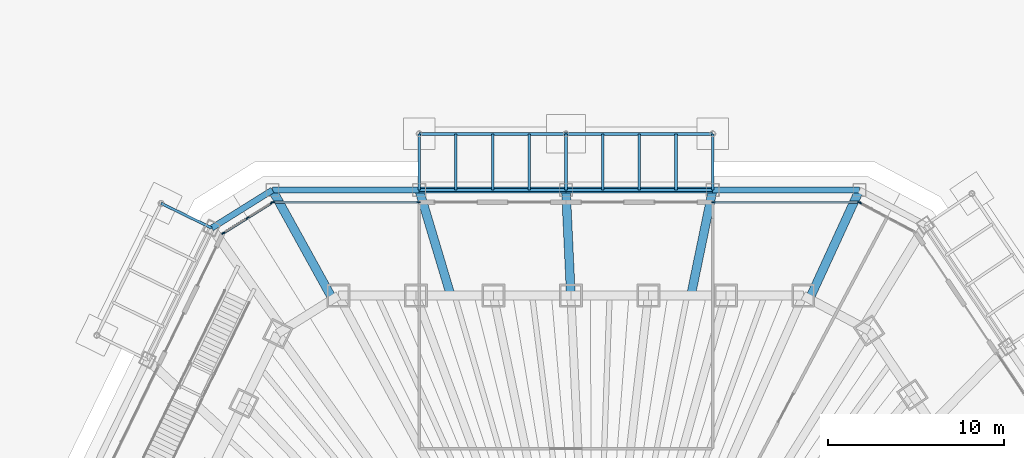
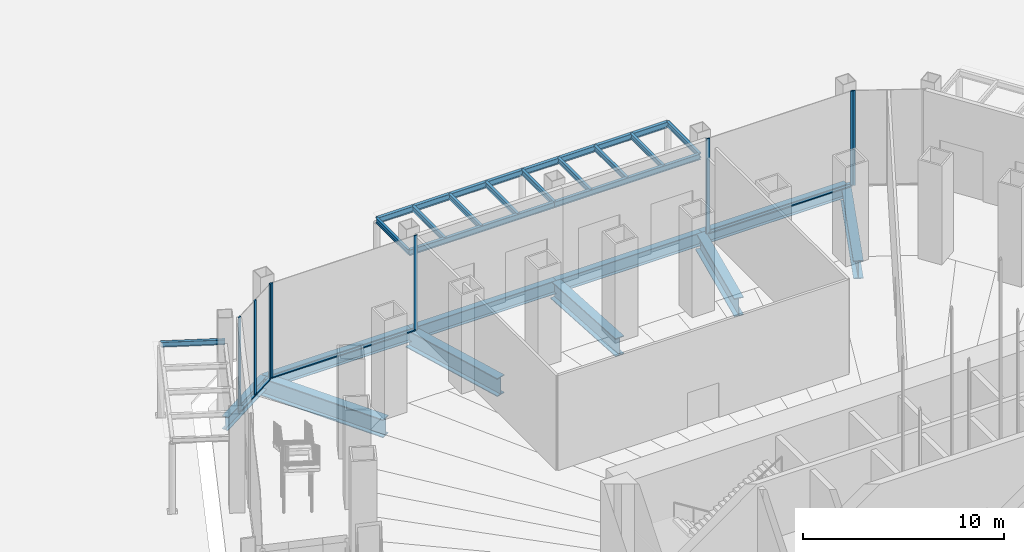
# One storey, part 22 of 45: 24 beams, 12 members, 4 elements without a shape of their own.
"""IFC4 building model written with IfcOpenShell, lengths in metres."""

import ifcopenshell
import ifcopenshell.guid

model = None  # the IFC model being written
_history = None  # IfcOwnerHistory: only IFC2X3 demands one
_inside = {}  # id of a spatial element -> (the spatial element, [elements in it])
_under = {}  # id of a project, library or spatial element -> (it, [spatial elements below it])
_declared = {}  # id of a project -> (the project, [libraries it declares])
_typed = {}  # id of a type object -> (the type object, [elements of that type])
_made_of = {}  # id of a material, layer set ... -> (it, [elements and type objects made of it])


def new_model(schema):
    """Start an empty IFC model of exactly this schema.

    Asked for "IFC4X3", IfcOpenShell would pick the latest addendum, in which some entities
    have other attributes; the version numbers below select the first issue.
    IFC2X3 requires an IfcOwnerHistory on every rooted entity: one is made here for all.
    """
    global model, _history
    if schema == "IFC4X3":
        model = ifcopenshell.file(schema_version=(4, 3, 0, 0))
    else:
        model = ifcopenshell.file(schema=schema)
    _inside.clear()
    _under.clear()
    _declared.clear()
    _typed.clear()
    _made_of.clear()
    _history = None
    if model.schema == "IFC2X3":
        org = make("IfcOrganization", Name="unknown")
        user = make(
            "IfcPersonAndOrganization",
            ThePerson=make("IfcPerson", FamilyName="unknown"),
            TheOrganization=org,
        )
        app = make(
            "IfcApplication",
            ApplicationDeveloper=org,
            Version="unknown",
            ApplicationFullName="unknown",
            ApplicationIdentifier="unknown",
        )
        _history = make(
            "IfcOwnerHistory",
            OwningUser=user,
            OwningApplication=app,
            ChangeAction="ADDED",
            CreationDate=0,
        )
    return model


def make(cls, **values):
    """One entity of the class cls with the attributes given. An attribute that is None is left unset."""
    return model.create_entity(
        cls, **{name: value for name, value in values.items() if value is not None}
    )


def rooted(cls, **values):
    """An entity with a GlobalId (a new one), such as an element, a storey or a relation."""
    return make(cls, GlobalId=ifcopenshell.guid.new(), OwnerHistory=_history, **values)


def si_unit(unit_type, name, prefix=None):
    """IfcSIUnit, for example si_unit("LENGTHUNIT", "METRE", prefix="MILLI")."""
    return make("IfcSIUnit", UnitType=unit_type, Prefix=prefix, Name=name)


def assignment(units):
    """IfcUnitAssignment: the units of a project."""
    return None if units is None else make("IfcUnitAssignment", Units=units)


def point(xyz):
    """IfcCartesianPoint."""
    return None if xyz is None else make("IfcCartesianPoint", Coordinates=xyz)


def direction(xyz):
    """IfcDirection."""
    return None if xyz is None else make("IfcDirection", DirectionRatios=xyz)


def frame(location, z_axis=None, x_axis=None):
    """IfcAxis2Placement3D, a coordinate frame: its origin and axes. An axis left out is left unset."""
    return make(
        "IfcAxis2Placement3D",
        Location=point(location),
        Axis=direction(z_axis),
        RefDirection=direction(x_axis),
    )


def frame_2d(location, x_axis=None):
    """IfcAxis2Placement2D, a coordinate frame in the plane: its origin and x axis."""
    return make(
        "IfcAxis2Placement2D", Location=point(location), RefDirection=direction(x_axis)
    )


def origin():
    """The frame at (0, 0, 0) with its axes left unset."""
    return frame((0.0, 0.0, 0.0))


def origin_2d():
    """The frame at (0, 0) in the plane with its x axis left unset."""
    return frame_2d((0.0, 0.0))


def place(relative_to, where):
    """IfcLocalPlacement: puts the frame where relative to a parent placement (None: the world)."""
    return make(
        "IfcLocalPlacement", PlacementRelTo=relative_to, RelativePlacement=where
    )


def context(
    kind, dimensions, precision=None, world=None, true_north=None, identifier=None
):
    """IfcGeometricRepresentationContext, for example the 3D "Model" context."""
    return make(
        "IfcGeometricRepresentationContext",
        ContextIdentifier=identifier,
        ContextType=kind,
        CoordinateSpaceDimension=dimensions,
        Precision=precision,
        WorldCoordinateSystem=world,
        TrueNorth=true_north,
    )


def subcontext(parent, identifier, kind, view, scale=None):
    """IfcGeometricRepresentationSubContext, for example "Body" below "Model"."""
    return make(
        "IfcGeometricRepresentationSubContext",
        ContextIdentifier=identifier,
        ContextType=kind,
        ParentContext=parent,
        TargetScale=scale,
        TargetView=view,
    )


def project(units=None, contexts=None):
    """IfcProject with its units and contexts."""
    return rooted(
        "IfcProject",
        Name="project",
        RepresentationContexts=contexts,
        UnitsInContext=assignment(units),
    )


def spatial(cls, under=None, at=None, **own):
    """A site, building, storey or space (cls), placed at a placement, below another one or the project."""
    s = rooted(cls, ObjectPlacement=at, **own)
    if under is not None:
        _under.setdefault(under.id(), (under, []))[1].append(s)
    return s


def profile(cls, at=None, kind="AREA", **sizes):
    """A parametric profile (cls). Its sizes go by their IFC names, for example OverallWidth=200.0."""
    return make(cls, ProfileType=kind, Position=at, **sizes)


def rectangle(**sizes):
    """IfcRectangleProfileDef."""
    return profile("IfcRectangleProfileDef", **sizes)


def i_section(**sizes):
    """IfcIShapeProfileDef."""
    return profile("IfcIShapeProfileDef", **sizes)


def extrude(swept, where, along, depth):
    """IfcExtrudedAreaSolid: the profile swept, set in the frame where, extruded along a direction by depth."""
    return make(
        "IfcExtrudedAreaSolid",
        SweptArea=swept,
        Position=where,
        ExtrudedDirection=direction(along),
        Depth=depth,
    )


def shape(context_of_items, identifier, shape_type, items):
    """IfcShapeRepresentation: the items that make up one representation, for example the "Body"."""
    return make(
        "IfcShapeRepresentation",
        ContextOfItems=context_of_items,
        RepresentationIdentifier=identifier,
        RepresentationType=shape_type,
        Items=items,
    )


def material(Name=None, Category=None):
    """IfcMaterial."""
    return make("IfcMaterial", Name=Name, Category=Category)


def material_profile(
    of_material, cross_section, Name=None, Category=None, Priority=None
):
    """IfcMaterialProfile: a cross section and its material."""
    return make(
        "IfcMaterialProfile",
        Name=Name,
        Material=of_material,
        Profile=cross_section,
        Priority=Priority,
        Category=Category,
    )


def profile_set(profiles, Name=None, composite=None):
    """IfcMaterialProfileSet."""
    return make(
        "IfcMaterialProfileSet",
        Name=Name,
        MaterialProfiles=profiles,
        CompositeProfile=composite,
    )


def made_of(thing, what):
    """Note that an element or type object is made of a material, layer set ...; save() writes the relation."""
    if what is not None:
        _made_of.setdefault(what.id(), (what, []))[1].append(thing)
    return thing


def type_object(cls, material=None, **own):
    """A type object (cls), such as IfcWallType, which elements share."""
    return made_of(rooted(cls, **own), material)


def element(
    cls,
    number,
    at=None,
    inside=None,
    cuts=None,
    type_object=None,
    material=None,
    context=None,
    identifier="Body",
    shape_type=None,
    held_by="IfcProductDefinitionShape",
    body=None,
    shapes=None,
    **own,
):
    """One element of the class cls, such as IfcWall. Its Tag is "e" and its number.

    at: its placement. inside: the storey or other place that contains it. cuts: it is an
    opening in that element (IfcRelVoidsElement). A single representation is given by context,
    identifier, shape_type and body (its items); several are given by shapes. held_by: the class
    of the entity that holds the representations. save() writes the other relations.
    """
    e = rooted(cls, Tag="e%d" % number, ObjectPlacement=at, **own)
    if body is not None:
        shapes = [shape(context, identifier, shape_type, body)]
    if shapes is not None:
        e.Representation = make(held_by, Representations=shapes)
    if inside is not None:
        _inside.setdefault(inside.id(), (inside, []))[1].append(e)
    if cuts is not None:
        rooted(
            "IfcRelVoidsElement", RelatingBuildingElement=cuts, RelatedOpeningElement=e
        )
    if type_object is not None:
        _typed.setdefault(type_object.id(), (type_object, []))[1].append(e)
    return made_of(e, material)


def aggregate(whole, parts):
    """IfcRelAggregates: a whole, such as a stair, and the parts it consists of."""
    return rooted("IfcRelAggregates", RelatingObject=whole, RelatedObjects=parts)


def save(model, path):
    """Write the relations noted so far, then the file.

    IfcRelAggregates (storeys below a building ...), IfcRelContainedInSpatialStructure (elements
    in a storey), IfcRelDefinesByType, IfcRelAssociatesMaterial and IfcRelDeclares: one each for
    every whole, place, type object, material and project.
    """
    for whole, parts in _under.values():
        aggregate(whole, parts)
    for where, things in _inside.values():
        rooted(
            "IfcRelContainedInSpatialStructure",
            RelatedElements=things,
            RelatingStructure=where,
        )
    for kind, things in _typed.values():
        rooted("IfcRelDefinesByType", RelatedObjects=things, RelatingType=kind)
    for what, things in _made_of.values():
        rooted("IfcRelAssociatesMaterial", RelatedObjects=things, RelatingMaterial=what)
    for by, libraries in _declared.values():
        rooted("IfcRelDeclares", RelatingContext=by, RelatedDefinitions=libraries)
    model.write(path)


model = new_model("IFC4")

# Units and contexts
model_context = context("Model", 3, precision=1e-05, world=origin(), true_north=direction((0.0, 1.0)))
body_context = subcontext(model_context, "Body", "Model", "MODEL_VIEW")
ifc_project = project(units=[si_unit("LENGTHUNIT", "METRE"), si_unit("AREAUNIT", "SQUARE_METRE"), si_unit("VOLUMEUNIT", "CUBIC_METRE"), si_unit("PLANEANGLEUNIT", "RADIAN"), si_unit("MASSUNIT", "GRAM", prefix="KILO")], contexts=[model_context])

# Site, building, storey
site_placement = place(None, origin())
site = spatial("IfcSite", under=ifc_project, at=site_placement, CompositionType="ELEMENT")
building_placement = place(site_placement, origin())
building = spatial("IfcBuilding", under=site, at=building_placement, Name="Qingtian Harvest Tower", CompositionType="ELEMENT")
storey_placement = place(building_placement, origin())
storey = spatial("IfcBuildingStorey", under=building, at=storey_placement, Name="L00", CompositionType="ELEMENT", Elevation=0.0)

# Beams
ifc_material_1 = material(Name="Steel SN490B", Category="steel")
ifc_material_profile_1 = material_profile(ifc_material_1, i_section(OverallWidth=0.14990234375, OverallDepth=0.300048828125, WebThickness=0.006591796875, FlangeThickness=0.009033203125, at=origin_2d()), Name="H300x150x6.5x9")
ifc_profile_set_1 = profile_set([ifc_material_profile_1], Name="Steel SN490B")
beam_type_1 = type_object("IfcBeamType", Name="Canopy beam CB1 H300x150x6.5x9", PredefinedType="BEAM", material=ifc_profile_set_1)
for number, where, z_axis, x_axis, name in (
    (1, (-9.87890625, 33.0, 4.31005859375), (0.0, 1.0, 0.0), (-1.0, 0.0, 0.0), "Canopy beam CB1 CN1 1"),
    (2, (-1.537109375, 33.0, 4.31005859375), (0.0, 1.0, 0.0), (-1.0, 0.0, 0.0), "Canopy beam CB1 CN1 2"),
    (3, (6.8046875, 33.0, 4.31005859375), (0.0, 1.0, 0.0), (-1.0, 0.0, 0.0), "Canopy beam CB1 CN1 3"),
    (4, (-7.79345703125, 33.0, 4.31005859375), (0.0, 1.0, 0.0), (-1.0, 0.0, 0.0), "Canopy rafter CB1 CN1 1.1"),
    (5, (-5.7080078125, 33.0, 4.31005859375), (0.0, 1.0, 0.0), (-1.0, 0.0, 0.0), "Canopy rafter CB1 CN1 1.2"),
    (6, (-3.62255859375, 33.0, 4.31005859375), (0.0, 1.0, 0.0), (-1.0, 0.0, 0.0), "Canopy rafter CB1 CN1 1.3"),
    (7, (0.54833984375, 33.0, 4.31005859375), (0.0, 1.0, 0.0), (-1.0, 0.0, 0.0), "Canopy rafter CB1 CN1 2.1"),
    (8, (2.6337890625, 33.0, 4.31005859375), (0.0, 1.0, 0.0), (-1.0, 0.0, 0.0), "Canopy rafter CB1 CN1 2.2"),
    (9, (4.71923828125, 33.0, 4.31005859375), (0.0, 1.0, 0.0), (-1.0, 0.0, 0.0), "Canopy rafter CB1 CN1 2.3"),
    (10, (-21.6728515625, 30.8427734375, 4.31005859375), (-0.898778711213, 0.43840258698, 0.0), (-0.43840258698, -0.898778711213, 0.0), "Canopy beam CB1 CN5 4"),
):
    element("IfcBeam", number, at=place(storey_placement, frame(where, z_axis=z_axis, x_axis=x_axis)), inside=storey, type_object=beam_type_1, Name=name, PredefinedType="BEAM", context=body_context, shape_type="SweptSolid", body=[
        extrude(i_section(OverallWidth=0.14990234375, OverallDepth=0.300048828125, WebThickness=0.006591796875, FlangeThickness=0.009033203125, at=origin_2d()), origin(), (0.0, 0.0, 1.0), 3.199951171875),
    ])
ifc_material_2 = material(Name="Steel SN490B", Category="steel")
ifc_material_profile_2 = material_profile(ifc_material_2, i_section(OverallWidth=0.175048828125, OverallDepth=0.35009765625, WebThickness=0.007080078125, FlangeThickness=0.010986328125, at=origin_2d()), Name="H350x175x7x11")
ifc_profile_set_2 = profile_set([ifc_material_profile_2], Name="Steel SN490B")
beam_type_2 = type_object("IfcBeamType", Name="Canopy edge beam CB2 H350x175x7x11", PredefinedType="BEAM", material=ifc_profile_set_2)
for number, where, z_axis, x_axis, name in (
    (11, (-9.87890625, 33.0, 4.284912109375), (1.0, 0.0, 0.0), (0.0, 1.0, 0.0), "Canopy back beam CB1 CN1 1"),
    (12, (-9.87890625, 36.199951171875, 4.284912109375), (1.0, 0.0, 0.0), (0.0, 1.0, 0.0), "Canopy front beam CB1 CN1 1"),
    (13, (-1.537109375, 33.0, 4.284912109375), (1.0, 0.0, 0.0), (0.0, 1.0, 0.0), "Canopy back beam CB1 CN1 2"),
    (14, (-1.537109375, 36.199951171875, 4.284912109375), (1.0, 0.0, 0.0), (0.0, 1.0, 0.0), "Canopy front beam CB1 CN1 2"),
):
    element("IfcBeam", number, at=place(storey_placement, frame(where, z_axis=z_axis, x_axis=x_axis)), inside=storey, type_object=beam_type_2, Name=name, PredefinedType="BEAM", context=body_context, shape_type="SweptSolid", body=[
        extrude(i_section(OverallWidth=0.175048828125, OverallDepth=0.35009765625, WebThickness=0.007080078125, FlangeThickness=0.010986328125, at=origin_2d()), origin(), (0.0, 0.0, 1.0), 8.341796875),
    ])
ifc_material_3 = material(Name="Steel SM570MC", Category="steel")
ifc_material_profile_3 = material_profile(ifc_material_3, i_section(OverallWidth=0.5, OverallDepth=1.10009765625, WebThickness=0.02490234375, FlangeThickness=0.050048828125, at=origin_2d()), Name="H1100x500x25x50")
ifc_profile_set_3 = profile_set([ifc_material_profile_3], Name="Steel SM570MC")
beam_type_3 = type_object("IfcBeamType", Name="Floor beam FB6 H1100x500x25x50", PredefinedType="BEAM", material=ifc_profile_set_3)
beam_1_placement = place(storey_placement, frame((-18.220703125, 33.0, -0.800048828125), z_axis=(0.483365161377, -0.875418825915, 0.0), x_axis=(0.875418825915, 0.483365161377, 0.0)))
element("IfcBeam", 15, at=beam_1_placement, inside=storey, type_object=beam_type_3, Name="Podium floor beam FB6 N0", PredefinedType="BEAM", context=body_context, shape_type="SweptSolid", body=[
    extrude(i_section(OverallWidth=0.5, OverallDepth=1.10009765625, WebThickness=0.02490234375, FlangeThickness=0.050048828125, at=origin_2d()), origin(), (0.0, 0.0, 1.0), 7.08544921875),
])
beam_2_placement = place(storey_placement, frame((-9.87890625, 33.0, -0.800048828125), z_axis=(0.286782790718, -0.957995632009, 0.0), x_axis=(0.957995632009, 0.286782790718, 0.0)))
element("IfcBeam", 16, at=beam_2_placement, inside=storey, type_object=beam_type_3, Name="Podium floor beam FB6 N1", PredefinedType="BEAM", context=body_context, shape_type="SweptSolid", body=[
    extrude(i_section(OverallWidth=0.5, OverallDepth=1.10009765625, WebThickness=0.02490234375, FlangeThickness=0.050048828125, at=origin_2d()), origin(), (0.0, 0.0, 1.0), 6.26318359375),
])
beam_3_placement = place(storey_placement, frame((-1.537109375, 33.0, -0.800048828125), z_axis=(0.046539686109, -0.998916441759, 0.0), x_axis=(0.998916441759, 0.046539686109, 0.0)))
element("IfcBeam", 17, at=beam_3_placement, inside=storey, type_object=beam_type_3, Name="Podium floor beam FB6 N2", PredefinedType="BEAM", context=body_context, shape_type="SweptSolid", body=[
    extrude(i_section(OverallWidth=0.5, OverallDepth=1.10009765625, WebThickness=0.02490234375, FlangeThickness=0.050048828125, at=origin_2d()), origin(), (0.0, 0.0, 1.0), 6.006591796875),
])
beam_4_placement = place(storey_placement, frame((6.8046875, 33.0, -0.800048828125), z_axis=(-0.201967754187, -0.979392171844, 0.0), x_axis=(0.979392171844, -0.201967754187, 0.0)))
element("IfcBeam", 18, at=beam_4_placement, inside=storey, type_object=beam_type_3, Name="Podium floor beam FB6 N3", PredefinedType="BEAM", context=body_context, shape_type="SweptSolid", body=[
    extrude(i_section(OverallWidth=0.5, OverallDepth=1.10009765625, WebThickness=0.02490234375, FlangeThickness=0.050048828125, at=origin_2d()), origin(), (0.0, 0.0, 1.0), 6.126220703125),
])
beam_5_placement = place(storey_placement, frame((15.146484375, 33.0, -0.800048828125), z_axis=(-0.417153576737, -0.908836010189, 0.0), x_axis=(0.908836010189, -0.417153576737, 0.0)))
element("IfcBeam", 19, at=beam_5_placement, inside=storey, type_object=beam_type_3, Name="Podium floor beam FB6 N4", PredefinedType="BEAM", context=body_context, shape_type="SweptSolid", body=[
    extrude(i_section(OverallWidth=0.5, OverallDepth=1.10009765625, WebThickness=0.02490234375, FlangeThickness=0.050048828125, at=origin_2d()), origin(), (0.0, 0.0, 1.0), 6.80712890625),
])

# Curtain wall, members
ifc_material_4 = material(Name="Bronze-anodised aluminium curtain wall", Category="aluminium")
curtain_wall_type = type_object("IfcCurtainWallType", Name="Curtain wall CW1 podium shopfront", PredefinedType="USERDEFINED", material=ifc_material_4)
curtain_wall_1_placement = place(storey_placement, origin())
curtain_wall_1 = element("IfcCurtainWall", 20, at=curtain_wall_1_placement, inside=storey, type_object=curtain_wall_type, Name="Curtain wall CW1 L00 N0", ObjectType="RECESSED CURTAIN WALL", PredefinedType="USERDEFINED")
ifc_material_5 = material(Name="Bronze-anodised aluminium mullion", Category="aluminium")
ifc_material_profile_4 = material_profile(ifc_material_5, rectangle(XDim=0.06494140625, YDim=0.199951171875, at=origin_2d()), Name="AL 65x200")
ifc_profile_set_4 = profile_set([ifc_material_profile_4], Name="Bronze-anodised aluminium mullion")
member_type_1 = type_object("IfcMemberType", Name="Mullion CWM 65x200", PredefinedType="MULLION", material=ifc_profile_set_4)
member_1_placement = place(storey_placement, frame((-18.188232421875, 32.300048828125, 0.0), z_axis=(0.0, 0.0, 1.0), x_axis=(0.0, 1.0, 0.0)))
member_1 = element("IfcMember", 21, at=member_1_placement, type_object=member_type_1, Name="CW1 mullion 1", PredefinedType="MULLION", context=body_context, shape_type="SweptSolid", body=[
    extrude(rectangle(XDim=0.06494140625, YDim=0.199951171875, at=origin_2d()), origin(), (0.0, 0.0, 1.0), 5.75),
])
member_2_placement = place(storey_placement, frame((-9.911376953125, 32.300048828125, 0.0), z_axis=(0.0, 0.0, 1.0), x_axis=(0.0, 1.0, 0.0)))
member_2 = element("IfcMember", 22, at=member_2_placement, type_object=member_type_1, Name="CW1 mullion 2", PredefinedType="MULLION", context=body_context, shape_type="SweptSolid", body=[
    extrude(rectangle(XDim=0.06494140625, YDim=0.199951171875, at=origin_2d()), origin(), (0.0, 0.0, 1.0), 5.75),
])

curtain_wall_2_placement = place(storey_placement, origin())
curtain_wall_2 = element("IfcCurtainWall", 23, at=curtain_wall_2_placement, inside=storey, type_object=curtain_wall_type, Name="Curtain wall CW1 L00 N3", ObjectType="RECESSED CURTAIN WALL", PredefinedType="USERDEFINED")
member_3_placement = place(storey_placement, frame((6.837158203125, 32.300048828125, 0.0), z_axis=(0.0, 0.0, 1.0), x_axis=(0.0, 1.0, 0.0)))
member_3 = element("IfcMember", 24, at=member_3_placement, type_object=member_type_1, Name="CW1 mullion 1", PredefinedType="MULLION", context=body_context, shape_type="SweptSolid", body=[
    extrude(rectangle(XDim=0.06494140625, YDim=0.199951171875, at=origin_2d()), origin(), (0.0, 0.0, 1.0), 5.75),
])
member_4_placement = place(storey_placement, frame((15.114013671875, 32.300048828125, 0.0), z_axis=(0.0, 0.0, 1.0), x_axis=(0.0, 1.0, 0.0)))
member_4 = element("IfcMember", 25, at=member_4_placement, type_object=member_type_1, Name="CW1 mullion 2", PredefinedType="MULLION", context=body_context, shape_type="SweptSolid", body=[
    extrude(rectangle(XDim=0.06494140625, YDim=0.199951171875, at=origin_2d()), origin(), (0.0, 0.0, 1.0), 5.75),
])

# Curtain wall, member
curtain_wall_3_placement = place(storey_placement, origin())
curtain_wall_3 = element("IfcCurtainWall", 26, at=curtain_wall_3_placement, inside=storey, type_object=curtain_wall_type, Name="Curtain wall CW1 L00 NC", ObjectType="RECESSED CURTAIN WALL", PredefinedType="USERDEFINED")
member_5_placement = place(storey_placement, frame((15.175048828125, 32.28466796875, 0.0), z_axis=(0.0, 0.0, 1.0), x_axis=(0.469471562786, 0.882947592859, 0.0)))
member_5 = element("IfcMember", 27, at=member_5_placement, type_object=member_type_1, Name="CW1 mullion 1", PredefinedType="MULLION", context=body_context, shape_type="SweptSolid", body=[
    extrude(rectangle(XDim=0.06494140625, YDim=0.199951171875, at=origin_2d()), origin(), (0.0, 0.0, 1.0), 5.75),
])
aggregate(curtain_wall_3, [member_5])

# Curtain wall, members
curtain_wall_4_placement = place(storey_placement, origin())
curtain_wall_4 = element("IfcCurtainWall", 28, at=curtain_wall_4_placement, inside=storey, type_object=curtain_wall_type, Name="Curtain wall CW1 L00 NWC", ObjectType="RECESSED CURTAIN WALL", PredefinedType="USERDEFINED")
member_6_placement = place(storey_placement, frame((-21.01611328125, 30.55322265625, 0.0), z_axis=(0.0, 0.0, 1.0), x_axis=(-0.529919264233, 0.848048096156, 0.0)))
member_6 = element("IfcMember", 29, at=member_6_placement, type_object=member_type_1, Name="CW1 mullion 1", PredefinedType="MULLION", context=body_context, shape_type="SweptSolid", body=[
    extrude(rectangle(XDim=0.06494140625, YDim=0.199951171875, at=origin_2d()), origin(), (0.0, 0.0, 1.0), 5.75),
])
member_7_placement = place(storey_placement, frame((-19.632080078125, 31.41796875, 0.0), z_axis=(0.0, 0.0, 1.0), x_axis=(-0.529919264233, 0.848048096156, 0.0)))
member_7 = element("IfcMember", 30, at=member_7_placement, type_object=member_type_1, Name="CW1 mullion 2", PredefinedType="MULLION", context=body_context, shape_type="SweptSolid", body=[
    extrude(rectangle(XDim=0.06494140625, YDim=0.199951171875, at=origin_2d()), origin(), (0.0, 0.0, 1.0), 5.75),
])
member_8_placement = place(storey_placement, frame((-18.248291015625, 32.28271484375, 0.0), z_axis=(0.0, 0.0, 1.0), x_axis=(-0.529919264233, 0.848048096156, 0.0)))
member_8 = element("IfcMember", 31, at=member_8_placement, type_object=member_type_1, Name="CW1 mullion 3", PredefinedType="MULLION", context=body_context, shape_type="SweptSolid", body=[
    extrude(rectangle(XDim=0.06494140625, YDim=0.199951171875, at=origin_2d()), origin(), (0.0, 0.0, 1.0), 5.75),
])

# Beams
ifc_material_6 = material(Name="Steel SN490B", Category="steel")
ifc_material_profile_5 = material_profile(ifc_material_6, i_section(OverallWidth=0.35009765625, OverallDepth=0.800048828125, WebThickness=0.01611328125, FlangeThickness=0.028076171875, at=origin_2d()), Name="H800x350x16x28")
ifc_profile_set_5 = profile_set([ifc_material_profile_5], Name="Steel SN490B")
beam_type_4 = type_object("IfcBeamType", Name="Podium beam PB1 H800x350x16x28", PredefinedType="BEAM", material=ifc_profile_set_5)
for number, where, z_axis, x_axis, name in (
    (32, (-18.220703125, 33.0, -0.64990234375), (1.0, 0.0, 0.0), (0.0, 1.0, 0.0), "Podium edge beam PB1 N0"),
    (33, (-9.87890625, 33.0, -0.64990234375), (1.0, 0.0, 0.0), (0.0, 1.0, 0.0), "Podium edge beam PB1 N1"),
    (34, (-1.537109375, 33.0, -0.64990234375), (1.0, 0.0, 0.0), (0.0, 1.0, 0.0), "Podium edge beam PB1 N2"),
    (35, (6.8046875, 33.0, -0.64990234375), (1.0, 0.0, 0.0), (0.0, 1.0, 0.0), "Podium edge beam PB1 N3"),
):
    element("IfcBeam", number, at=place(storey_placement, frame(where, z_axis=z_axis, x_axis=x_axis)), inside=storey, type_object=beam_type_4, Name=name, PredefinedType="BEAM", context=body_context, shape_type="SweptSolid", body=[
        extrude(i_section(OverallWidth=0.35009765625, OverallDepth=0.800048828125, WebThickness=0.01611328125, FlangeThickness=0.028076171875, at=origin_2d()), origin(), (0.0, 0.0, 1.0), 8.341796875),
    ])
beam_6_placement = place(storey_placement, frame((-21.6728515625, 30.8427734375, -0.64990234375), z_axis=(0.848038733752, 0.529934246919, 0.0), x_axis=(-0.529934246919, 0.848038733752, 0.0)))
element("IfcBeam", 36, at=beam_6_placement, inside=storey, type_object=beam_type_4, Name="Podium edge beam PB1 NW4", PredefinedType="BEAM", context=body_context, shape_type="SweptSolid", body=[
    extrude(i_section(OverallWidth=0.35009765625, OverallDepth=0.800048828125, WebThickness=0.01611328125, FlangeThickness=0.028076171875, at=origin_2d()), origin(), (0.0, 0.0, 1.0), 4.07080078125),
])

# Member
ifc_material_7 = material(Name="Bronze-anodised aluminium transom", Category="aluminium")
ifc_material_profile_6 = material_profile(ifc_material_7, rectangle(XDim=0.14990234375, YDim=0.06494140625, at=origin_2d()), Name="AL 65x150")
ifc_profile_set_6 = profile_set([ifc_material_profile_6], Name="Bronze-anodised aluminium transom")
member_type_2 = type_object("IfcMemberType", Name="Transom CWT 65x150", PredefinedType="USERDEFINED", material=ifc_profile_set_6)
member_9_placement = place(storey_placement, frame((-18.15576171875, 32.300048828125, 0.032470703125), z_axis=(1.0, 0.0, 0.0), x_axis=(0.0, 1.0, 0.0)))
member_9 = element("IfcMember", 37, at=member_9_placement, type_object=member_type_2, Name="CW1 transom 1.1", ObjectType="TRANSOM", PredefinedType="USERDEFINED", context=body_context, shape_type="SweptSolid", body=[
    extrude(rectangle(XDim=0.14990234375, YDim=0.06494140625, at=origin_2d()), origin(), (0.0, 0.0, 1.0), 8.2119140625),
])

aggregate(curtain_wall_1, [member_1, member_2, member_9])

member_10_placement = place(storey_placement, frame((6.86962890625, 32.300048828125, 0.032470703125), z_axis=(1.0, 0.0, 0.0), x_axis=(0.0, 1.0, 0.0)))
member_10 = element("IfcMember", 38, at=member_10_placement, type_object=member_type_2, Name="CW1 transom 1.1", ObjectType="TRANSOM", PredefinedType="USERDEFINED", context=body_context, shape_type="SweptSolid", body=[
    extrude(rectangle(XDim=0.14990234375, YDim=0.06494140625, at=origin_2d()), origin(), (0.0, 0.0, 1.0), 8.211669921875),
])

aggregate(curtain_wall_2, [member_3, member_4, member_10])

member_11_placement = place(storey_placement, frame((-20.988525390625, 30.570556640625, 0.032470703125), z_axis=(0.848059570903, 0.529900900357, 0.0), x_axis=(-0.529900900357, 0.848059570903, 0.0)))
member_11 = element("IfcMember", 39, at=member_11_placement, type_object=member_type_2, Name="CW1 transom 1.1", ObjectType="TRANSOM", PredefinedType="USERDEFINED", context=body_context, shape_type="SweptSolid", body=[
    extrude(rectangle(XDim=0.14990234375, YDim=0.06494140625, at=origin_2d()), origin(), (0.0, 0.0, 1.0), 1.56689453125),
])

member_12_placement = place(storey_placement, frame((-19.6044921875, 31.435302734375, 0.032470703125), z_axis=(0.848015812303, 0.529970925697, 0.0), x_axis=(-0.529970925697, 0.848015812303, 0.0)))
member_12 = element("IfcMember", 40, at=member_12_placement, type_object=member_type_2, Name="CW1 transom 2.1", ObjectType="TRANSOM", PredefinedType="USERDEFINED", context=body_context, shape_type="SweptSolid", body=[
    extrude(rectangle(XDim=0.14990234375, YDim=0.06494140625, at=origin_2d()), origin(), (0.0, 0.0, 1.0), 1.566650390625),
])

aggregate(curtain_wall_4, [member_6, member_7, member_8, member_11, member_12])

save(model, "model.ifc")
